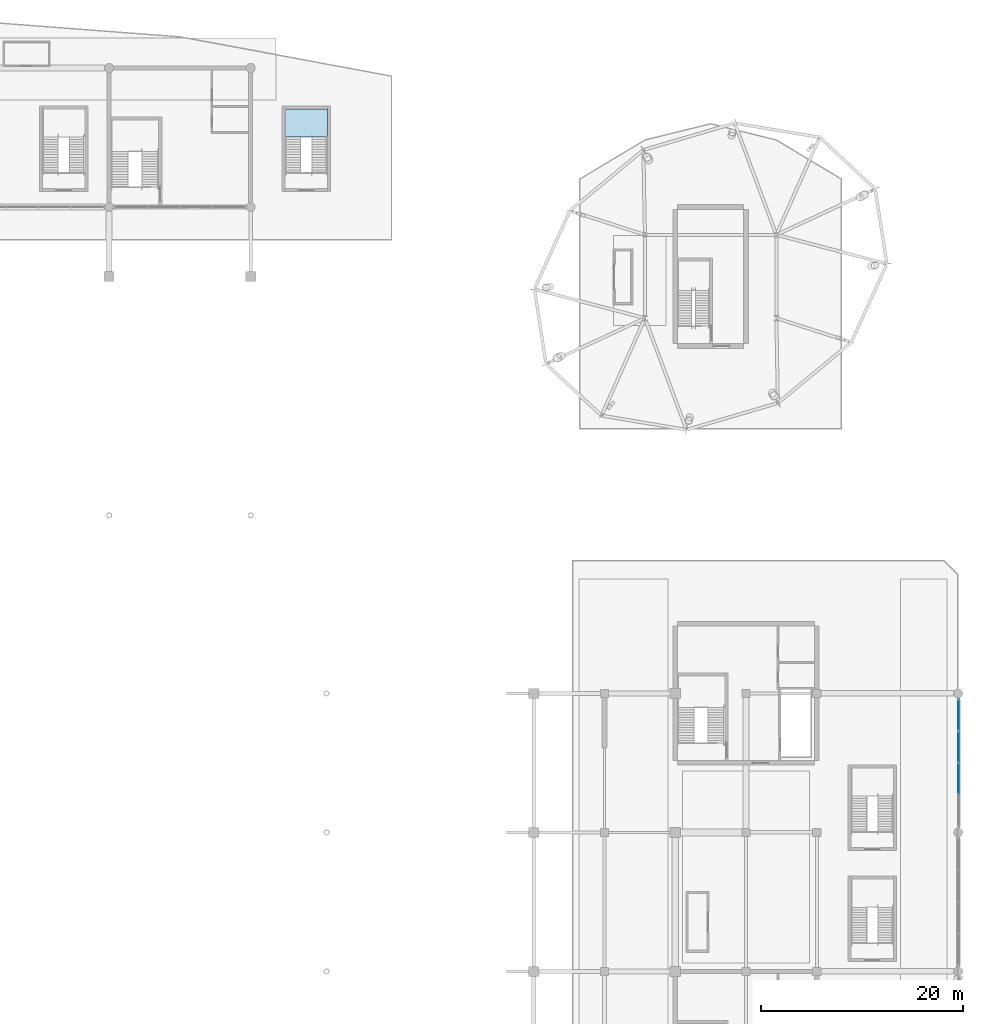
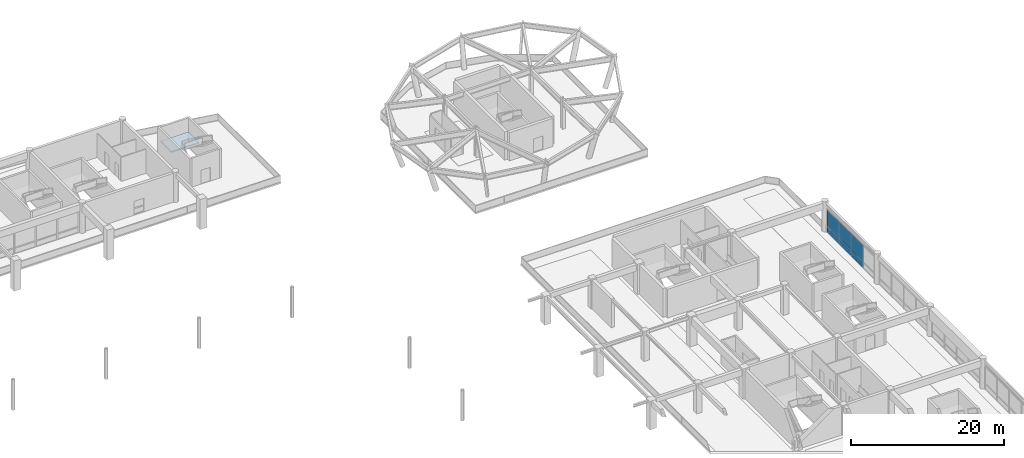
# One storey, part 57 of 91: 6 plates, 1 slab, 2 elements without a shape of their own.
"""IFC4 building model written with IfcOpenShell, lengths in metres."""

from ifc_helpers import new_model, si_unit, direction, frame, origin, origin_2d, place, context, subcontext, project, spatial, polyline, rectangle, outline, extrude, material, layer, layer_set, type_object, element, aggregate, save


model = new_model("IFC4")

# Units and contexts
model_context = context("Model", 3, precision=1e-05, world=origin(), true_north=direction((0.0, 1.0)))
body_context = subcontext(model_context, "Body", "Model", "MODEL_VIEW")
ifc_project = project(units=[si_unit("LENGTHUNIT", "METRE"), si_unit("AREAUNIT", "SQUARE_METRE"), si_unit("VOLUMEUNIT", "CUBIC_METRE"), si_unit("PLANEANGLEUNIT", "RADIAN"), si_unit("MASSUNIT", "GRAM", prefix="KILO")], contexts=[model_context])

# Site, building, storey
site_placement = place(None, origin())
site = spatial("IfcSite", under=ifc_project, at=site_placement, CompositionType="ELEMENT")
building_placement = place(site_placement, origin())
building = spatial("IfcBuilding", under=site, at=building_placement, Name="Linyun Crest Stadium", CompositionType="ELEMENT")
storey_placement = place(building_placement, frame((0.0, 0.0, 11.39990234375)))
storey = spatial("IfcBuildingStorey", under=building, at=storey_placement, Name="L03", CompositionType="ELEMENT", Elevation=11.39990234375)

# Curtain wall, plates
ifc_material_1 = material(Name="Verdigris steel and low-E curtain wall assembly", Category="steel")
curtain_wall_type = type_object("IfcCurtainWallType", Name="MCW02", PredefinedType="NOTDEFINED", material=ifc_material_1)
curtain_wall_placement = place(storey_placement, origin())
curtain_wall = element("IfcCurtainWall", 1, at=curtain_wall_placement, inside=storey, type_object=curtain_wall_type, Name="CWR-124", PredefinedType="NOTDEFINED")
ifc_material_2 = material(Name="Tempered solar-control low-E glass", Category="glass")
ifc_layer_1 = layer(ifc_material_2, 0.033935546875)
ifc_layer_set_1 = layer_set([ifc_layer_1], Name="Tempered solar-control low-E glass")
plate_type_1 = type_object("IfcPlateType", Name="GP03", PredefinedType="CURTAIN_PANEL", material=ifc_layer_set_1)
plate_1_placement = place(storey_placement, frame((98.0, 34.9189453125, 0.97509765625), z_axis=(0.0, 0.0, 1.0), x_axis=(0.0, 1.0, 0.0)))
plate_1 = element("IfcPlate", 2, at=plate_1_placement, type_object=plate_type_1, Name="CWR-124 panel 2.2", PredefinedType="CURTAIN_PANEL", context=body_context, shape_type="SweptSolid", body=[
    extrude(rectangle(XDim=3.112548828125, YDim=0.033935546875, at=origin_2d()), origin(), (0.0, 0.0, 1.0), 2.64990234375),
])
plate_2_placement = place(storey_placement, frame((98.0, 38.0810546875, 0.97509765625), z_axis=(0.0, 0.0, 1.0), x_axis=(0.0, 1.0, 0.0)))
plate_2 = element("IfcPlate", 3, at=plate_2_placement, type_object=plate_type_1, Name="CWR-124 panel 3.2", PredefinedType="CURTAIN_PANEL", context=body_context, shape_type="SweptSolid", body=[
    extrude(rectangle(XDim=3.112548828125, YDim=0.033935546875, at=origin_2d()), origin(), (0.0, 0.0, 1.0), 2.64990234375),
])
plate_3_placement = place(storey_placement, frame((98.0, 41.243896484375, 0.97509765625), z_axis=(0.0, 0.0, 1.0), x_axis=(0.0, 1.0, 0.0)))
plate_3 = element("IfcPlate", 4, at=plate_3_placement, type_object=plate_type_1, Name="CWR-124 panel 4.2", PredefinedType="CURTAIN_PANEL", context=body_context, shape_type="SweptSolid", body=[
    extrude(rectangle(XDim=3.112548828125, YDim=0.033935546875, at=origin_2d()), origin(), (0.0, 0.0, 1.0), 2.64990234375),
])

# Stair, slab
ifc_material_3 = material(Name="Concrete C40", Category="concrete")
stair_type = type_object("IfcStairType", Name="STA03", PredefinedType="HALF_TURN_STAIR", material=ifc_material_3)
stair_placement = place(storey_placement, origin())
stair = element("IfcStair", 5, at=stair_placement, inside=storey, type_object=stair_type, Name="Vomitory evacuation stair STR-26-L03", PredefinedType="HALF_TURN_STAIR")
ifc_material_4 = material(Name="Concrete C40", Category="concrete")
ifc_layer_2 = layer(ifc_material_4, 0.179931640625)
ifc_layer_set_2 = layer_set([ifc_layer_2], Name="Concrete C40")
slab_type = type_object("IfcSlabType", Name="LS01", PredefinedType="LANDING", material=ifc_layer_set_2)
slab_placement = place(storey_placement, frame((0.0, 0.0, 2.22021484375)))
slab = element("IfcSlab", 6, at=slab_placement, type_object=slab_type, Name="STR-26-L03 half-landing", PredefinedType="LANDING", context=body_context, shape_type="SweptSolid", body=[
    extrude(outline(polyline([(31.39990234375, 98.419921875), (35.60009765625, 98.419921875), (35.60009765625, 101.199951171875), (31.39990234375, 101.199951171875), (31.39990234375, 98.419921875)])), origin(), (0.0, 0.0, 1.0), 0.179931640625),
])
aggregate(stair, [slab])

# Plate
ifc_material_5 = material(Name="Warm ochre glazed ceramic faience spandrel")
ifc_layer_3 = layer(ifc_material_5, 0.048095703125)
ifc_layer_set_3 = layer_set([ifc_layer_3], Name="Warm ochre glazed ceramic faience spandrel")
plate_type_2 = type_object("IfcPlateType", Name="SP02", PredefinedType="SHEET", material=ifc_layer_set_3)
plate_4_placement = place(storey_placement, frame((98.0, 34.9189453125, 0.025146484375), z_axis=(0.0, 0.0, 1.0), x_axis=(0.0, 1.0, 0.0)))
plate_4 = element("IfcPlate", 7, at=plate_4_placement, type_object=plate_type_2, Name="CWR-124 panel 2.1", PredefinedType="SHEET", context=body_context, shape_type="SweptSolid", body=[
    extrude(rectangle(XDim=3.112548828125, YDim=0.048095703125, at=origin_2d()), origin(), (0.0, 0.0, 1.0), 0.89990234375),
])

plate_5_placement = place(storey_placement, frame((98.0, 38.0810546875, 0.025146484375), z_axis=(0.0, 0.0, 1.0), x_axis=(0.0, 1.0, 0.0)))
plate_5 = element("IfcPlate", 8, at=plate_5_placement, type_object=plate_type_2, Name="CWR-124 panel 3.1", PredefinedType="SHEET", context=body_context, shape_type="SweptSolid", body=[
    extrude(rectangle(XDim=3.112548828125, YDim=0.048095703125, at=origin_2d()), origin(), (0.0, 0.0, 1.0), 0.89990234375),
])

plate_6_placement = place(storey_placement, frame((98.0, 41.243896484375, 0.025146484375), z_axis=(0.0, 0.0, 1.0), x_axis=(0.0, 1.0, 0.0)))
plate_6 = element("IfcPlate", 9, at=plate_6_placement, type_object=plate_type_2, Name="CWR-124 panel 4.1", PredefinedType="SHEET", context=body_context, shape_type="SweptSolid", body=[
    extrude(rectangle(XDim=3.112548828125, YDim=0.048095703125, at=origin_2d()), origin(), (0.0, 0.0, 1.0), 0.89990234375),
])

aggregate(curtain_wall, [plate_4, plate_1, plate_5, plate_2, plate_6, plate_3])

save(model, "model.ifc")
